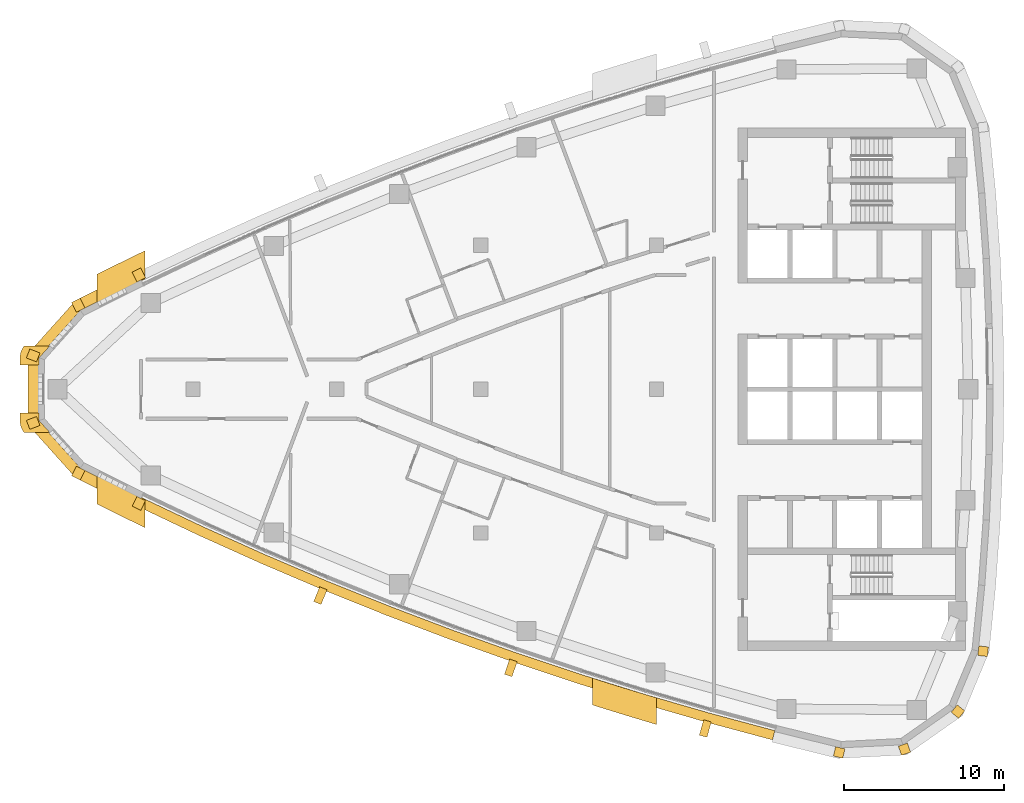
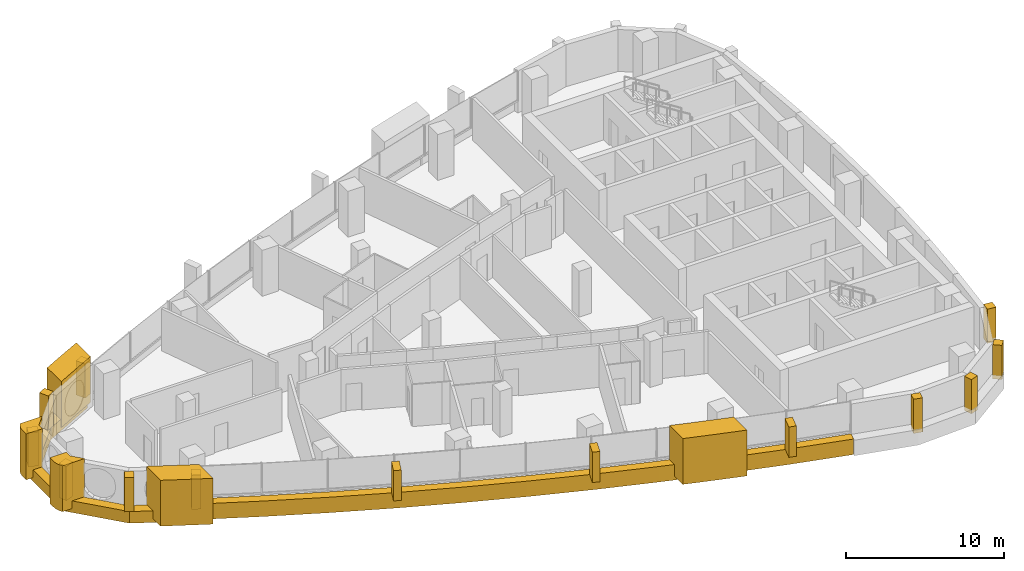
# One storey, part 12 of 15: 20 coverings.
"""IFC4 building model written with IfcOpenShell, lengths in metres."""

from ifc_helpers import new_model, si_unit, direction, frame, frame_2d, origin, place, context, subcontext, project, spatial, polyline, rectangle, outline, extrude, material, layer, layer_set, type_object, element, save


model = new_model("IFC4")

# Units and contexts
model_context = context("Model", 3, precision=1e-05, world=origin(), true_north=direction((0.0, 1.0)))
body_context = subcontext(model_context, "Body", "Model", "MODEL_VIEW")
ifc_project = project(units=[si_unit("LENGTHUNIT", "METRE"), si_unit("AREAUNIT", "SQUARE_METRE"), si_unit("VOLUMEUNIT", "CUBIC_METRE"), si_unit("PLANEANGLEUNIT", "RADIAN"), si_unit("MASSUNIT", "GRAM", prefix="KILO")], contexts=[model_context])

# Site, building, storey
site_placement = place(None, origin())
site = spatial("IfcSite", under=ifc_project, at=site_placement, CompositionType="ELEMENT")
building_placement = place(site_placement, origin())
building = spatial("IfcBuilding", under=site, at=building_placement, Name="Ostrand Prow Hotel Tower", CompositionType="ELEMENT")
storey_placement = place(building_placement, frame((0.0, 0.0, 231.449951171875)))
storey = spatial("IfcBuildingStorey", under=building, at=storey_placement, Name="L58", CompositionType="ELEMENT", Elevation=231.449951171875)

# Coverings
ifc_material_1 = material(Name="Bronze anodised aluminium cladding", Category="aluminium")
ifc_layer_1 = layer(ifc_material_1, 0.60009765625)
ifc_layer_set_1 = layer_set([ifc_layer_1], Name="Bronze anodised aluminium cladding")
covering_type_1 = type_object("IfcCoveringType", Name="Bronze prow band 899x600", PredefinedType="CLADDING", material=ifc_layer_set_1)
covering_1_placement = place(storey_placement, frame((0.0, 0.0, -0.300048828125)))
element("IfcCovering", 1, at=covering_1_placement, inside=storey, type_object=covering_type_1, Name="Bronze prow band", PredefinedType="CLADDING", context=body_context, shape_type="SweptSolid", body=[
    extrude(outline(polyline([(12.464111328125, 7.451904296875), (8.668212890625, 5.55517578125), (5.685302734375, 2.232666015625), (5.685302734375, -2.232666015625), (8.668212890625, -5.55517578125), (12.464111328125, -7.451904296875), (12.76171875, -6.840576171875), (8.97802734375, -4.949951171875), (6.3203125, -1.9892578125), (6.3203125, 1.9892578125), (8.97802734375, 4.949951171875), (12.76171875, 6.840576171875), (12.464111328125, 7.451904296875)])), origin(), (0.0, 0.0, 1.0), 0.900146484375),
])
ifc_material_2 = material(Name="Bronze anodised aluminium cladding", Category="aluminium")
ifc_layer_2 = layer(ifc_material_2, 0.60009765625)
ifc_layer_set_2 = layer_set([ifc_layer_2], Name="Bronze anodised aluminium cladding")
covering_type_2 = type_object("IfcCoveringType", Name="Bronze spandrel band 1200x600", PredefinedType="CLADDING", material=ifc_layer_set_2)
covering_2_placement = place(storey_placement, frame((0.0, 0.0, -0.300048828125)))
element("IfcCovering", 2, at=covering_2_placement, inside=storey, type_object=covering_type_2, Name="Spandrel band S1", PredefinedType="CLADDING", context=body_context, shape_type="SweptSolid", body=[
    extrude(outline(polyline([(12.526123046875, -7.324462890625), (16.35693359375, -9.14306640625), (20.2236328125, -10.88427734375), (24.12451171875, -12.547119140625), (28.058349609375, -14.131103515625), (32.02294921875, -15.635498046875), (36.017333984375, -17.059814453125), (40.039306640625, -18.403564453125), (44.087890625, -19.665771484375), (48.16064453125, -20.846435546875), (52.256591796875, -21.944580078125), (52.40625, -21.363525390625), (48.322021484375, -20.268310546875), (44.260498046875, -19.09130859375), (40.223876953125, -17.83251953125), (36.213134765625, -16.49267578125), (32.230224609375, -15.072509765625), (28.27685546875, -13.572265625), (24.354248046875, -11.992919921875), (20.464599609375, -10.334716796875), (16.60888671875, -8.598388671875), (12.788818359375, -6.784912109375), (12.526123046875, -7.324462890625)])), origin(), (0.0, 0.0, 1.0), 1.2001953125),
])
ifc_material_3 = material(Name="Limestone cladding", Category="masonry")
ifc_layer_3 = layer(ifc_material_3, 5.0)
ifc_layer_set_3 = layer_set([ifc_layer_3], Name="Limestone cladding")
covering_type_3 = type_object("IfcCoveringType", Name="Portal jamb pilaster limestone", PredefinedType="CLADDING", material=ifc_layer_set_3)
covering_3_placement = place(storey_placement, origin())
element("IfcCovering", 3, at=covering_3_placement, inside=storey, type_object=covering_type_3, Name="Portal jamb SA L58", PredefinedType="CLADDING", context=body_context, shape_type="SweptSolid", body=[
    extrude(outline(polyline([(10.0, -5.40087890625), (10.0, -7.19189453125), (11.0, -7.689453125), (12.0, -8.180419921875), (13.0, -8.664794921875), (13.0, -6.8876953125), (12.0, -6.398681640625), (11.0, -5.903076171875), (10.0, -5.40087890625)])), origin(), (0.0, 0.0, 1.0), 3.550048828125),
])
covering_4_placement = place(storey_placement, origin())
element("IfcCovering", 4, at=covering_4_placement, inside=storey, type_object=covering_type_3, Name="Portal jamb SB L58", PredefinedType="CLADDING", context=body_context, shape_type="SweptSolid", body=[
    extrude(outline(polyline([(41.0, -18.08154296875), (41.0, -19.760009765625), (42.0, -20.0732421875), (43.0, -20.381103515625), (44.0, -20.68359375), (45.0, -20.980712890625), (45.0, -19.312255859375), (44.0, -19.0126953125), (43.0, -18.707763671875), (42.0, -18.3974609375), (41.0, -18.08154296875)])), origin(), (0.0, 0.0, 1.0), 3.550048828125),
])
covering_5_placement = place(storey_placement, origin())
element("IfcCovering", 5, at=covering_5_placement, inside=storey, type_object=covering_type_3, Name="Portal jamb NA L58", PredefinedType="CLADDING", context=body_context, shape_type="SweptSolid", body=[
    extrude(outline(polyline([(10.0, 5.40087890625), (11.0, 5.903076171875), (12.0, 6.398681640625), (13.0, 6.8876953125), (13.0, 8.664794921875), (12.0, 8.180419921875), (11.0, 7.689453125), (10.0, 7.19189453125), (10.0, 5.40087890625)])), origin(), (0.0, 0.0, 1.0), 3.550048828125),
])
ifc_material_4 = material(Name="Limestone cladding", Category="masonry")
ifc_layer_4 = layer(ifc_material_4, 0.5)
ifc_layer_set_4 = layer_set([ifc_layer_4], Name="Limestone cladding")
covering_type_4 = type_object("IfcCoveringType", Name="Precast stone fin 500x900", PredefinedType="CLADDING", material=ifc_layer_set_4)
for number, where, z_axis, x_axis, name in (
    (6, (24.162841796875, -12.45458984375, 0.900146484375), (0.0, 0.0, 1.0), (-0.382811769845, -0.923826362943, 0.0), "Stone fin S 4"),
    (7, (36.0498046875, -16.96533203125, 0.900146484375), (0.0, 0.0, 1.0), (-0.326389393469, -0.945235401279, 0.0), "Stone fin S 7"),
    (8, (48.1875, -20.75, 0.900146484375), (0.0, 0.0, 1.0), (-0.26852507925, -0.963272693381, 0.0), "Stone fin S 10"),
):
    element("IfcCovering", number, at=place(storey_placement, frame(where, z_axis=z_axis, x_axis=x_axis)), inside=storey, type_object=covering_type_4, Name=name, PredefinedType="CLADDING", context=body_context, shape_type="SweptSolid", body=[
        extrude(rectangle(XDim=1.0, YDim=0.5, at=frame_2d((0.5, 0.0))), origin(), (0.0, 0.0, 1.0), 2.349853515625),
    ])
ifc_material_5 = material(Name="Limestone cladding", Category="masonry")
ifc_layer_5 = layer(ifc_material_5, 0.60009765625)
ifc_layer_set_5 = layer_set([ifc_layer_5], Name="Limestone cladding")
covering_type_5 = type_object("IfcCoveringType", Name="Precast stone prow rib 600x600", PredefinedType="CLADDING", material=ifc_layer_set_5)
for number, where, z_axis, x_axis, name in (
    (9, (12.76171875, 6.840576171875, 0.60009765625), (0.0, 0.0, 1.0), (-0.437708972644, 0.899116708368, 0.0), "Stone prow rib 1"),
    (10, (8.97802734375, 4.949951171875, 0.60009765625), (0.0, 0.0, 1.0), (-0.455667721738, 0.890149946563, 0.0), "Stone prow rib 2"),
):
    element("IfcCovering", number, at=place(storey_placement, frame(where, z_axis=z_axis, x_axis=x_axis)), inside=storey, type_object=covering_type_5, Name=name, PredefinedType="CLADDING", context=body_context, shape_type="SweptSolid", body=[
        extrude(rectangle(XDim=0.679931640625, YDim=0.60009765625, at=frame_2d((0.33984375, 0.0))), origin(), (0.0, 0.0, 1.0), 2.64990234375),
    ])
for number, where, z_axis, x_axis, name in (
    (11, (6.3203125, 1.9892578125, 0.60009765625), (0.0, 0.0, 1.0), (-0.9337521164, 0.357920361419, 0.0), "Stone prow rib 3"),
    (12, (6.3203125, -1.9892578125, 0.60009765625), (0.0, 0.0, 1.0), (-0.9337521164, -0.357920361419, 0.0), "Stone prow rib 4"),
):
    element("IfcCovering", number, at=place(storey_placement, frame(where, z_axis=z_axis, x_axis=x_axis)), inside=storey, type_object=covering_type_5, Name=name, PredefinedType="CLADDING", context=body_context, shape_type="SweptSolid", body=[
        extrude(rectangle(XDim=0.68017578125, YDim=0.60009765625, at=frame_2d((0.340087890625, 0.0))), origin(), (0.0, 0.0, 1.0), 2.64990234375),
    ])
for number, where, z_axis, x_axis, name in (
    (13, (8.97802734375, -4.949951171875, 0.60009765625), (0.0, 0.0, 1.0), (-0.455667721738, -0.890149946563, 0.0), "Stone prow rib 5"),
    (14, (12.76171875, -6.840576171875, 0.60009765625), (0.0, 0.0, 1.0), (-0.437708972644, -0.899116708368, 0.0), "Stone prow rib 6"),
):
    element("IfcCovering", number, at=place(storey_placement, frame(where, z_axis=z_axis, x_axis=x_axis)), inside=storey, type_object=covering_type_5, Name=name, PredefinedType="CLADDING", context=body_context, shape_type="SweptSolid", body=[
        extrude(rectangle(XDim=0.679931640625, YDim=0.60009765625, at=frame_2d((0.33984375, 0.0))), origin(), (0.0, 0.0, 1.0), 2.64990234375),
    ])
for number, where, z_axis, x_axis, name in (
    (15, (56.49755859375, -22.436279296875, 0.60009765625), (0.0, 0.0, 1.0), (-0.229878322855, -0.973219377469, 0.0), "Stone corner rib 2a"),
    (16, (60.417236328125, -22.240966796875, 0.60009765625), (0.0, 0.0, 1.0), (0.325489086777, -0.945545797087, 0.0), "Stone corner rib 3a"),
    (17, (63.62744140625, -19.98291015625, 0.60009765625), (0.0, 0.0, 1.0), (0.779994736518, -0.625786074473, 0.0), "Stone corner rib 4a"),
    (18, (65.13623046875, -16.35986328125, 0.60009765625), (0.0, 0.0, 1.0), (0.993628058569, -0.112708833834, 0.0), "Stone corner rib 4b"),
):
    element("IfcCovering", number, at=place(storey_placement, frame(where, z_axis=z_axis, x_axis=x_axis)), inside=storey, type_object=covering_type_5, Name=name, PredefinedType="CLADDING", context=body_context, shape_type="SweptSolid", body=[
        extrude(rectangle(XDim=0.60009765625, YDim=0.60009765625, at=frame_2d((0.300048828125, 0.0))), origin(), (0.0, 0.0, 1.0), 2.64990234375),
    ])
ifc_material_6 = material(Name="Limestone cladding", Category="masonry")
ifc_layer_6 = layer(ifc_material_6, 3.0)
ifc_layer_set_6 = layer_set([ifc_layer_6], Name="Limestone cladding")
covering_type_6 = type_object("IfcCoveringType", Name="Prow nose pier limestone", PredefinedType="CLADDING", material=ifc_layer_set_6)
covering_6_placement = place(storey_placement, origin())
element("IfcCovering", 19, at=covering_6_placement, inside=storey, type_object=covering_type_6, Name="Prow spine fin N L58", PredefinedType="CLADDING", context=body_context, shape_type="SweptSolid", body=[
    extrude(outline(polyline([(5.177734375, 1.96728515625), (5.177734375, 1.5), (6.377685546875, 1.5), (6.377685546875, 1.96728515625), (7.03564453125, 2.699951171875), (5.42919921875, 2.699951171875), (5.406005859375, 2.67138671875), (5.337890625, 2.566162109375), (5.28125, 2.454345703125), (5.236328125, 2.33740234375), (5.203857421875, 2.21630859375), (5.184326171875, 2.09228515625), (5.177734375, 1.96728515625)])), origin(), (0.0, 0.0, 1.0), 3.550048828125),
])
covering_7_placement = place(storey_placement, origin())
element("IfcCovering", 20, at=covering_7_placement, inside=storey, type_object=covering_type_6, Name="Prow spine fin S L58", PredefinedType="CLADDING", context=body_context, shape_type="SweptSolid", body=[
    extrude(outline(polyline([(5.406005859375, -2.67138671875), (5.42919921875, -2.699951171875), (7.03564453125, -2.699951171875), (6.377685546875, -1.96728515625), (6.377685546875, -1.5), (5.177734375, -1.5), (5.177734375, -1.96728515625), (5.184326171875, -2.09228515625), (5.203857421875, -2.21630859375), (5.236328125, -2.33740234375), (5.28125, -2.454345703125), (5.337890625, -2.566162109375), (5.406005859375, -2.67138671875)])), origin(), (0.0, 0.0, 1.0), 3.550048828125),
])

save(model, "model.ifc")
